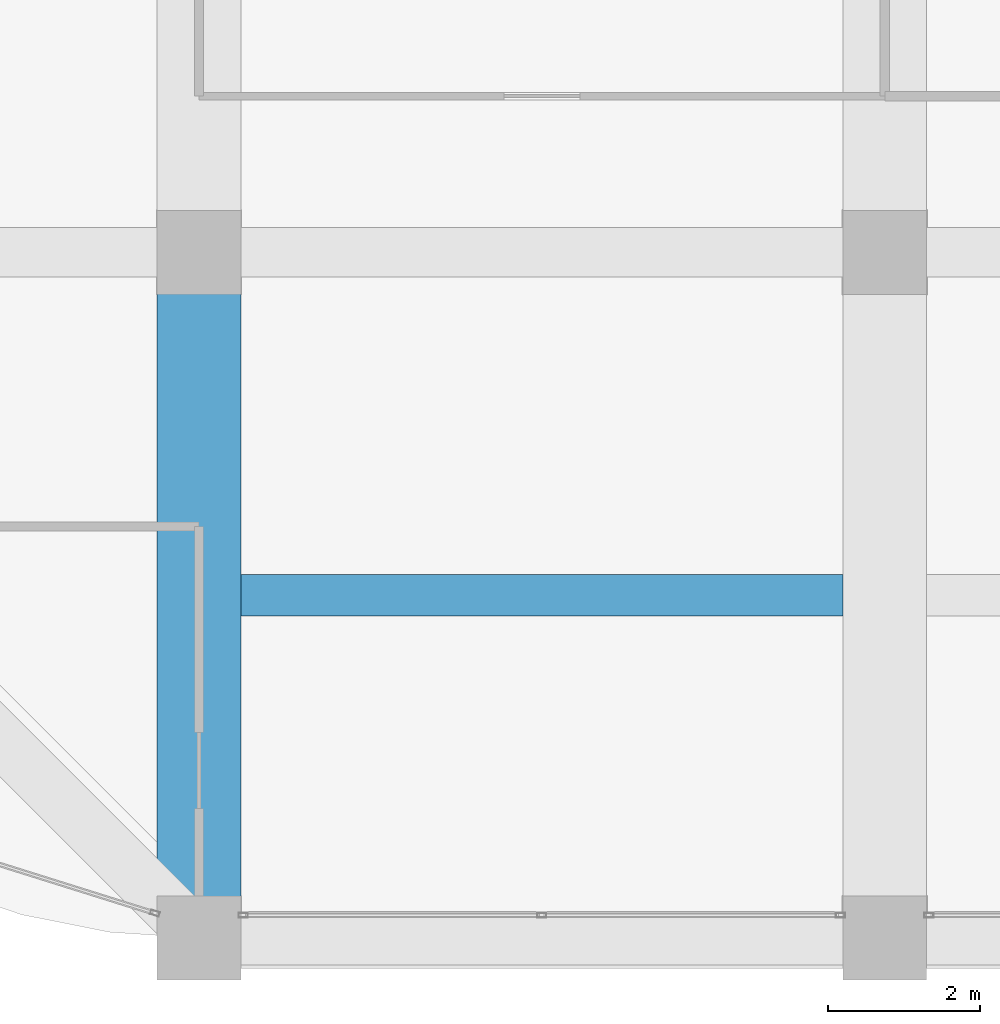
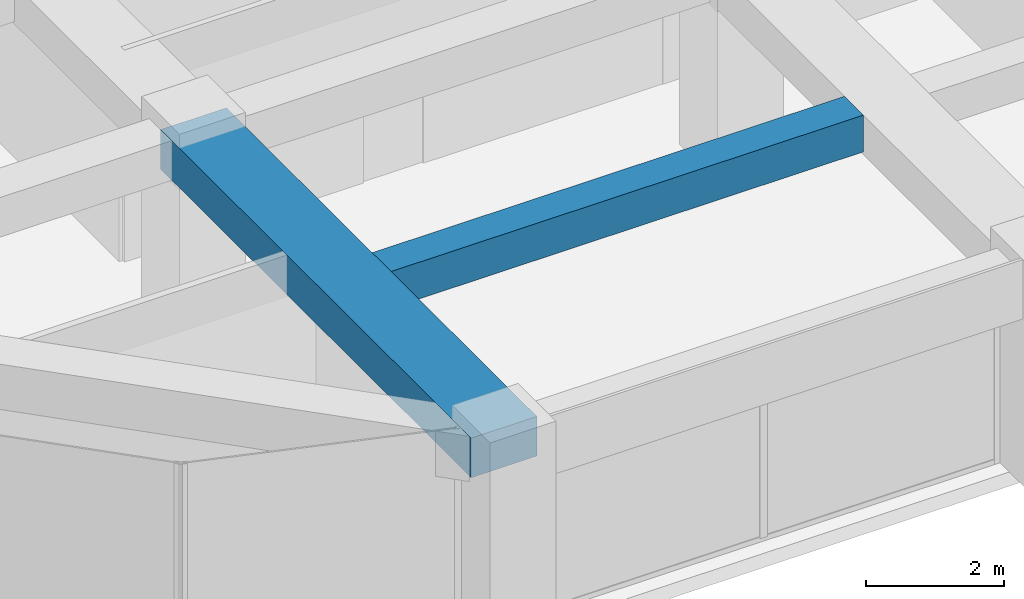
# One storey, part 5 of 44: 2 beams.
"""IFC4 building model written with IfcOpenShell, lengths in metres."""

from ifc_helpers import new_model, si_unit, direction, frame, origin, origin_2d, place, context, subcontext, project, spatial, rectangle, extrude, material, material_profile, profile_set, type_object, element, save


model = new_model("IFC4")

# Units and contexts
model_context = context("Model", 3, precision=1e-05, world=origin(), true_north=direction((0.0, 1.0)))
body_context = subcontext(model_context, "Body", "Model", "MODEL_VIEW")
ifc_project = project(units=[si_unit("LENGTHUNIT", "METRE"), si_unit("AREAUNIT", "SQUARE_METRE"), si_unit("VOLUMEUNIT", "CUBIC_METRE"), si_unit("PLANEANGLEUNIT", "RADIAN"), si_unit("MASSUNIT", "GRAM", prefix="KILO")], contexts=[model_context])

# Site, building, storey
site_placement = place(None, origin())
site = spatial("IfcSite", under=ifc_project, at=site_placement, CompositionType="ELEMENT")
building_placement = place(site_placement, origin())
building = spatial("IfcBuilding", under=site, at=building_placement, Name="Zorevar Civic Tower", CompositionType="ELEMENT")
storey_placement = place(building_placement, frame((0.0, 0.0, 251.39990234375)))
storey = spatial("IfcBuildingStorey", under=building, at=storey_placement, Name="L61", CompositionType="ELEMENT", Elevation=251.39990234375)

# Beams
ifc_material_1 = material(Name="Concrete C50/60", Category="concrete")
ifc_material_profile_1 = material_profile(ifc_material_1, rectangle(XDim=1.10009765625, YDim=0.699951171875, at=origin_2d()), Name="RC 1100x700")
ifc_profile_set_1 = profile_set([ifc_material_profile_1], Name="Concrete C50/60")
beam_type_1 = type_object("IfcBeamType", Name="Beam RC 1100x700", PredefinedType="BEAM", material=ifc_profile_set_1)
beam_1_placement = place(storey_placement, frame((18.0, 0.0, 3.400146484375), z_axis=(0.0, 1.0, 0.0), x_axis=(-1.0, 0.0, 0.0)))
element("IfcBeam", 1, at=beam_1_placement, inside=storey, type_object=beam_type_1, Name="Girder L62", PredefinedType="BEAM", context=body_context, shape_type="SweptSolid", body=[
    extrude(rectangle(XDim=1.10009765625, YDim=0.699951171875, at=origin_2d()), origin(), (0.0, 0.0, 1.0), 9.0),
])
ifc_material_2 = material(Name="Concrete C50/60", Category="concrete")
ifc_material_profile_2 = material_profile(ifc_material_2, rectangle(XDim=0.550048828125, YDim=0.64990234375, at=origin_2d()), Name="RC 550x650")
ifc_profile_set_2 = profile_set([ifc_material_profile_2], Name="Concrete C50/60")
beam_type_2 = type_object("IfcBeamType", Name="Beam RC 550x650", PredefinedType="BEAM", material=ifc_profile_set_2)
beam_2_placement = place(storey_placement, frame((18.550048828125, 4.5, 3.425048828125), z_axis=(1.0, 0.0, 0.0), x_axis=(0.0, 1.0, 0.0)))
element("IfcBeam", 2, at=beam_2_placement, inside=storey, type_object=beam_type_2, Name="Secondary beam L62", PredefinedType="BEAM", context=body_context, shape_type="SweptSolid", body=[
    extrude(rectangle(XDim=0.550048828125, YDim=0.64990234375, at=origin_2d()), origin(), (0.0, 0.0, 1.0), 7.89990234375),
])

save(model, "model.ifc")
